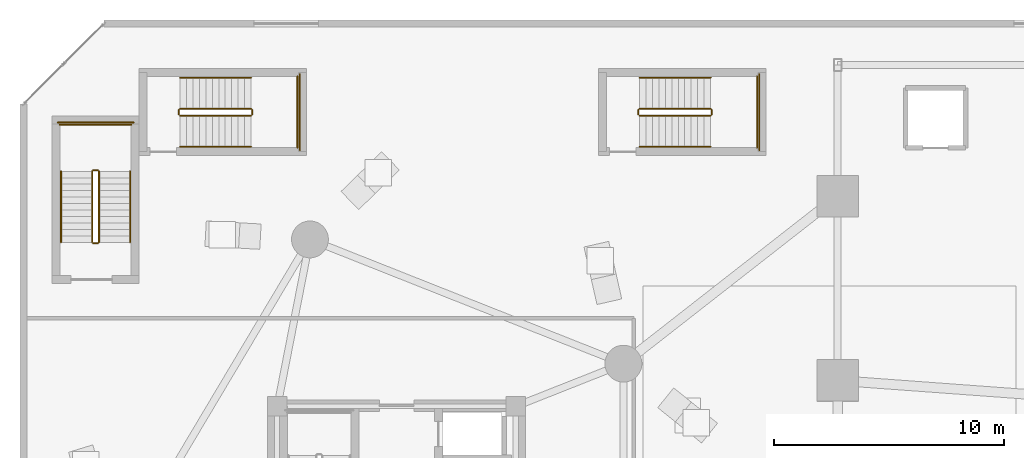
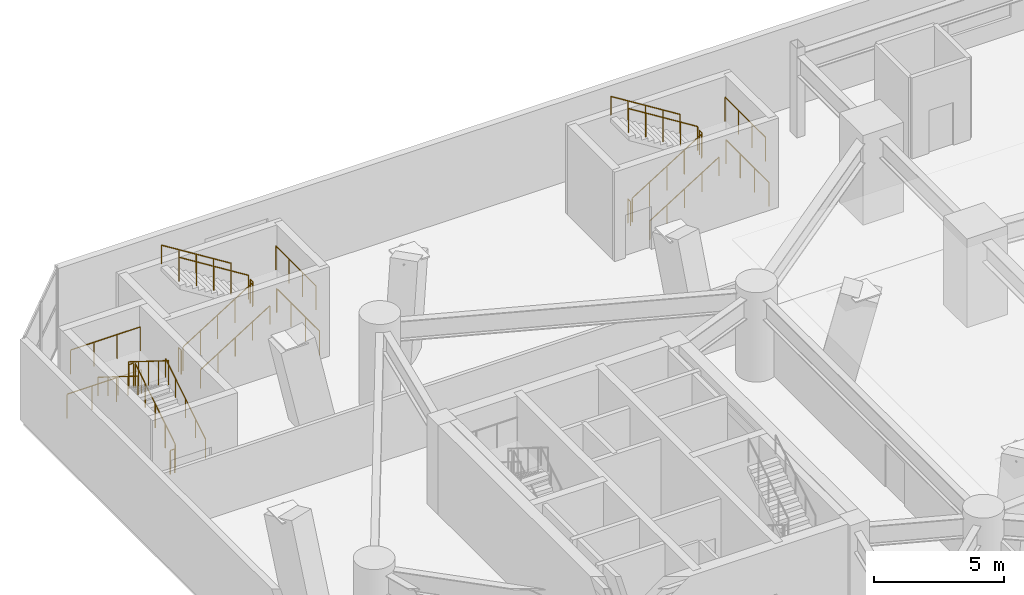
# One storey, part 19 of 20: 24 railings.
"""IFC4 building model written with IfcOpenShell, lengths in metres."""

from ifc_helpers import new_model, si_unit, direction, frame, origin, origin_2d, place, context, subcontext, project, spatial, circle, extrude, material, type_object, element, save


model = new_model("IFC4")

# Units and contexts
model_context = context("Model", 3, precision=1e-05, world=origin(), true_north=direction((0.0, 1.0)))
body_context = subcontext(model_context, "Body", "Model", "MODEL_VIEW")
ifc_project = project(units=[si_unit("LENGTHUNIT", "METRE"), si_unit("AREAUNIT", "SQUARE_METRE"), si_unit("VOLUMEUNIT", "CUBIC_METRE"), si_unit("PLANEANGLEUNIT", "RADIAN"), si_unit("MASSUNIT", "GRAM", prefix="KILO")], contexts=[model_context])

# Site, building, storey
site_placement = place(None, origin())
site = spatial("IfcSite", under=ifc_project, at=site_placement, CompositionType="ELEMENT")
building_placement = place(site_placement, origin())
building = spatial("IfcBuilding", under=site, at=building_placement, Name="Cununo Teusaquillo Station Towers", CompositionType="ELEMENT")
storey_placement = place(building_placement, frame((0.0, 0.0, 13.199951171875)))
storey = spatial("IfcBuildingStorey", under=building, at=storey_placement, Name="L03", CompositionType="ELEMENT", Elevation=13.199951171875)

# Railings
ifc_material_1 = material(Name="Steel EN 10025-2 S355J2", Category="steel")
railing_type_1 = type_object("IfcRailingType", Name="RL-INT-GUARD", PredefinedType="GUARDRAIL", material=ifc_material_1)
railing_1_placement = place(storey_placement, frame((27.050048828125, 44.0, 0.175048828125)))
element("IfcRailing", 1, at=railing_1_placement, inside=storey, type_object=railing_type_1, Name="L03 ST-POD-N stair guard 1", PredefinedType="GUARDRAIL", context=body_context, shape_type="SweptSolid", body=[
    extrude(circle(Radius=0.02392578125, at=origin_2d()), frame((0.0, 0.0, 1.1259765625), z_axis=(0.847979421464, 0.0, 0.530029150871), x_axis=(0.0, 1.0, 0.0)), (0.0, 0.0, 1.0), 3.632080078125),
    extrude(circle(Radius=0.02099609375, at=origin_2d()), origin(), (0.0, 0.0, 1.0), 1.101806640625),
    extrude(circle(Radius=0.02099609375, at=origin_2d()), frame((0.77001953125, 0.0, 0.481201171875)), (0.0, 0.0, 1.0), 1.101806640625),
    extrude(circle(Radius=0.02099609375, at=origin_2d()), frame((1.5400390625, 0.0, 0.96240234375)), (0.0, 0.0, 1.0), 1.101806640625),
    extrude(circle(Radius=0.02099609375, at=origin_2d()), frame((2.309814453125, 0.0, 1.44384765625)), (0.0, 0.0, 1.0), 1.101806640625),
    extrude(circle(Radius=0.02099609375, at=origin_2d()), frame((3.079833984375, 0.0, 1.925048828125)), (0.0, 0.0, 1.0), 1.101806640625),
])
railing_2_placement = place(storey_placement, frame((30.179931640625, 44.050048828125, 2.10009765625)))
element("IfcRailing", 2, at=railing_2_placement, inside=storey, type_object=railing_type_1, Name="L03 ST-POD-N stair guard 2", PredefinedType="GUARDRAIL", context=body_context, shape_type="SweptSolid", body=[
    extrude(circle(Radius=0.02392578125, at=origin_2d()), frame((0.0, 0.0, 1.1259765625), z_axis=(0.0, 1.0, 0.0), x_axis=(-1.0, 0.0, 0.0)), (0.0, 0.0, 1.0), 0.199951171875),
    extrude(circle(Radius=0.02099609375, at=origin_2d()), origin(), (0.0, 0.0, 1.0), 1.101806640625),
    extrude(circle(Radius=0.02099609375, at=origin_2d()), frame((0.0, 0.199951171875, 0.0)), (0.0, 0.0, 1.0), 1.101806640625),
])
railing_3_placement = place(storey_placement, frame((32.14990234375, 42.60009765625, 2.10009765625)))
element("IfcRailing", 3, at=railing_3_placement, inside=storey, type_object=railing_type_1, Name="L03 ST-POD-N stair guard 3", PredefinedType="GUARDRAIL", context=body_context, shape_type="SweptSolid", body=[
    extrude(circle(Radius=0.02392578125, at=origin_2d()), frame((0.0, 0.0, 1.1259765625), z_axis=(0.0, 1.0, 0.0), x_axis=(-1.0, 0.0, 0.0)), (0.0, 0.0, 1.0), 3.099853515625),
    extrude(circle(Radius=0.02099609375, at=origin_2d()), origin(), (0.0, 0.0, 1.0), 1.101806640625),
    extrude(circle(Radius=0.02099609375, at=origin_2d()), frame((0.0, 1.033203125, 0.0)), (0.0, 0.0, 1.0), 1.101806640625),
    extrude(circle(Radius=0.02099609375, at=origin_2d()), frame((0.0, 2.066650390625, 0.0)), (0.0, 0.0, 1.0), 1.101806640625),
    extrude(circle(Radius=0.02099609375, at=origin_2d()), frame((0.0, 3.099853515625, 0.0)), (0.0, 0.0, 1.0), 1.101806640625),
])
railing_4_placement = place(storey_placement, frame((30.1298828125, 44.300048828125, 2.275146484375)))
element("IfcRailing", 4, at=railing_4_placement, inside=storey, type_object=railing_type_1, Name="L03 ST-POD-N stair guard 4", PredefinedType="GUARDRAIL", context=body_context, shape_type="SweptSolid", body=[
    extrude(circle(Radius=0.02392578125, at=origin_2d()), frame((0.0, 0.0, 1.1259765625), z_axis=(-0.848009633417, 0.0, 0.529980812513), x_axis=(0.0, -1.0, 0.0)), (0.0, 0.0, 1.0), 3.6318359375),
    extrude(circle(Radius=0.02099609375, at=origin_2d()), origin(), (0.0, 0.0, 1.0), 1.101806640625),
    extrude(circle(Radius=0.02099609375, at=origin_2d()), frame((-0.77001953125, 0.0, 0.481201171875)), (0.0, 0.0, 1.0), 1.101806640625),
    extrude(circle(Radius=0.02099609375, at=origin_2d()), frame((-1.5400390625, 0.0, 0.96240234375)), (0.0, 0.0, 1.0), 1.101806640625),
    extrude(circle(Radius=0.02099609375, at=origin_2d()), frame((-2.309814453125, 0.0, 1.443603515625)), (0.0, 0.0, 1.0), 1.101806640625),
    extrude(circle(Radius=0.02099609375, at=origin_2d()), frame((-3.079833984375, 0.0, 1.9248046875)), (0.0, 0.0, 1.0), 1.101806640625),
])
railing_5_placement = place(storey_placement, frame((27.0, 44.050048828125, 0.0)))
element("IfcRailing", 5, at=railing_5_placement, inside=storey, type_object=railing_type_1, Name="L03 ST-POD-N stair guard 5", PredefinedType="GUARDRAIL", context=body_context, shape_type="SweptSolid", body=[
    extrude(circle(Radius=0.02392578125, at=origin_2d()), frame((0.0, 0.0, 1.1259765625), z_axis=(0.0, 1.0, 0.0), x_axis=(-1.0, 0.0, 0.0)), (0.0, 0.0, 1.0), 0.199951171875),
    extrude(circle(Radius=0.02099609375, at=origin_2d()), origin(), (0.0, 0.0, 1.0), 1.101806640625),
    extrude(circle(Radius=0.02099609375, at=origin_2d()), frame((0.0, 0.199951171875, 0.0)), (0.0, 0.0, 1.0), 1.101806640625),
])
railing_6_placement = place(storey_placement, frame((32.25, 42.5, 0.0)))
element("IfcRailing", 6, at=railing_6_placement, inside=storey, type_object=railing_type_1, Name="L03 ST-POD-N stair guard 6", PredefinedType="GUARDRAIL", context=body_context, shape_type="SweptSolid", body=[
    extrude(circle(Radius=0.02392578125, at=origin_2d()), frame((0.0, 0.0, 1.1259765625), z_axis=(0.0, 1.0, 0.0), x_axis=(-1.0, 0.0, 0.0)), (0.0, 0.0, 1.0), 3.300048828125),
    extrude(circle(Radius=0.02099609375, at=origin_2d()), origin(), (0.0, 0.0, 1.0), 1.101806640625),
    extrude(circle(Radius=0.02099609375, at=origin_2d()), frame((0.0, 1.10009765625, 0.0)), (0.0, 0.0, 1.0), 1.101806640625),
    extrude(circle(Radius=0.02099609375, at=origin_2d()), frame((0.0, 2.199951171875, 0.0)), (0.0, 0.0, 1.0), 1.101806640625),
    extrude(circle(Radius=0.02099609375, at=origin_2d()), frame((0.0, 3.300048828125, 0.0)), (0.0, 0.0, 1.0), 1.101806640625),
])
railing_7_placement = place(storey_placement, frame((3.580078125, 38.5, 0.175048828125)))
element("IfcRailing", 7, at=railing_7_placement, inside=storey, type_object=railing_type_1, Name="L03 ST-POD-W stair guard 1", PredefinedType="GUARDRAIL", context=body_context, shape_type="SweptSolid", body=[
    extrude(circle(Radius=0.02392578125, at=origin_2d()), frame((0.0, 0.0, 1.1259765625), z_axis=(0.0, 0.847998304005, 0.529998940003), x_axis=(-1.0, 0.0, 0.0)), (0.0, 0.0, 1.0), 3.632080078125),
    extrude(circle(Radius=0.02099609375, at=origin_2d()), origin(), (0.0, 0.0, 1.0), 1.101806640625),
    extrude(circle(Radius=0.02099609375, at=origin_2d()), frame((0.0, 0.77001953125, 0.481201171875)), (0.0, 0.0, 1.0), 1.101806640625),
    extrude(circle(Radius=0.02099609375, at=origin_2d()), frame((0.0, 1.5400390625, 0.96240234375)), (0.0, 0.0, 1.0), 1.101806640625),
    extrude(circle(Radius=0.02099609375, at=origin_2d()), frame((0.0, 2.31005859375, 1.44384765625)), (0.0, 0.0, 1.0), 1.101806640625),
    extrude(circle(Radius=0.02099609375, at=origin_2d()), frame((0.0, 3.080078125, 1.925048828125)), (0.0, 0.0, 1.0), 1.101806640625),
])
railing_8_placement = place(storey_placement, frame((3.530029296875, 41.6298828125, 2.10009765625)))
element("IfcRailing", 8, at=railing_8_placement, inside=storey, type_object=railing_type_1, Name="L03 ST-POD-W stair guard 2", PredefinedType="GUARDRAIL", context=body_context, shape_type="SweptSolid", body=[
    extrude(circle(Radius=0.02392578125, at=origin_2d()), frame((0.0, 0.0, 1.1259765625), z_axis=(-1.0, 0.0, 0.0), x_axis=(0.0, -1.0, 0.0)), (0.0, 0.0, 1.0), 0.199951171875),
    extrude(circle(Radius=0.02099609375, at=origin_2d()), origin(), (0.0, 0.0, 1.0), 1.101806640625),
    extrude(circle(Radius=0.02099609375, at=origin_2d()), frame((-0.199951171875, 0.0, 0.0)), (0.0, 0.0, 1.0), 1.101806640625),
])
railing_9_placement = place(storey_placement, frame((4.97998046875, 43.60009765625, 2.10009765625)))
element("IfcRailing", 9, at=railing_9_placement, inside=storey, type_object=railing_type_1, Name="L03 ST-POD-W stair guard 3", PredefinedType="GUARDRAIL", context=body_context, shape_type="SweptSolid", body=[
    extrude(circle(Radius=0.02392578125, at=origin_2d()), frame((0.0, 0.0, 1.1259765625), z_axis=(-1.0, 0.0, 0.0), x_axis=(0.0, -1.0, 0.0)), (0.0, 0.0, 1.0), 3.10009765625),
    extrude(circle(Radius=0.02099609375, at=origin_2d()), origin(), (0.0, 0.0, 1.0), 1.101806640625),
    extrude(circle(Radius=0.02099609375, at=origin_2d()), frame((-1.033447265625, 0.0, 0.0)), (0.0, 0.0, 1.0), 1.101806640625),
    extrude(circle(Radius=0.02099609375, at=origin_2d()), frame((-2.066650390625, 0.0, 0.0)), (0.0, 0.0, 1.0), 1.101806640625),
    extrude(circle(Radius=0.02099609375, at=origin_2d()), frame((-3.10009765625, 0.0, 0.0)), (0.0, 0.0, 1.0), 1.101806640625),
])
railing_10_placement = place(storey_placement, frame((3.280029296875, 41.580078125, 2.275146484375)))
element("IfcRailing", 10, at=railing_10_placement, inside=storey, type_object=railing_type_1, Name="L03 ST-POD-W stair guard 4", PredefinedType="GUARDRAIL", context=body_context, shape_type="SweptSolid", body=[
    extrude(circle(Radius=0.02392578125, at=origin_2d()), frame((0.0, 0.0, 1.1259765625), z_axis=(0.0, -0.848028513186, 0.529950602248), x_axis=(1.0, 0.0, 0.0)), (0.0, 0.0, 1.0), 3.632080078125),
    extrude(circle(Radius=0.02099609375, at=origin_2d()), origin(), (0.0, 0.0, 1.0), 1.101806640625),
    extrude(circle(Radius=0.02099609375, at=origin_2d()), frame((0.0, -0.77001953125, 0.481201171875)), (0.0, 0.0, 1.0), 1.101806640625),
    extrude(circle(Radius=0.02099609375, at=origin_2d()), frame((0.0, -1.5400390625, 0.96240234375)), (0.0, 0.0, 1.0), 1.101806640625),
    extrude(circle(Radius=0.02099609375, at=origin_2d()), frame((0.0, -2.31005859375, 1.443603515625)), (0.0, 0.0, 1.0), 1.101806640625),
    extrude(circle(Radius=0.02099609375, at=origin_2d()), frame((0.0, -3.080078125, 1.9248046875)), (0.0, 0.0, 1.0), 1.101806640625),
])
railing_11_placement = place(storey_placement, frame((3.530029296875, 38.449951171875, 0.0)))
element("IfcRailing", 11, at=railing_11_placement, inside=storey, type_object=railing_type_1, Name="L03 ST-POD-W stair guard 5", PredefinedType="GUARDRAIL", context=body_context, shape_type="SweptSolid", body=[
    extrude(circle(Radius=0.02392578125, at=origin_2d()), frame((0.0, 0.0, 1.1259765625), z_axis=(-1.0, 0.0, 0.0), x_axis=(0.0, -1.0, 0.0)), (0.0, 0.0, 1.0), 0.199951171875),
    extrude(circle(Radius=0.02099609375, at=origin_2d()), origin(), (0.0, 0.0, 1.0), 1.101806640625),
    extrude(circle(Radius=0.02099609375, at=origin_2d()), frame((-0.199951171875, 0.0, 0.0)), (0.0, 0.0, 1.0), 1.101806640625),
])
railing_12_placement = place(storey_placement, frame((5.080078125, 43.699951171875, 0.0)))
element("IfcRailing", 12, at=railing_12_placement, inside=storey, type_object=railing_type_1, Name="L03 ST-POD-W stair guard 6", PredefinedType="GUARDRAIL", context=body_context, shape_type="SweptSolid", body=[
    extrude(circle(Radius=0.02392578125, at=origin_2d()), frame((0.0, 0.0, 1.1259765625), z_axis=(-1.0, 0.0, 0.0), x_axis=(0.0, -1.0, 0.0)), (0.0, 0.0, 1.0), 3.300048828125),
    extrude(circle(Radius=0.02099609375, at=origin_2d()), origin(), (0.0, 0.0, 1.0), 1.101806640625),
    extrude(circle(Radius=0.02099609375, at=origin_2d()), frame((-1.10009765625, 0.0, 0.0)), (0.0, 0.0, 1.0), 1.101806640625),
    extrude(circle(Radius=0.02099609375, at=origin_2d()), frame((-2.199951171875, 0.0, 0.0)), (0.0, 0.0, 1.0), 1.101806640625),
    extrude(circle(Radius=0.02099609375, at=origin_2d()), frame((-3.300048828125, 0.0, 0.0)), (0.0, 0.0, 1.0), 1.101806640625),
])
railing_13_placement = place(storey_placement, frame((7.10009765625, 44.0, 0.175048828125)))
element("IfcRailing", 13, at=railing_13_placement, inside=storey, type_object=railing_type_1, Name="L03 ST-POD-C stair guard 1", PredefinedType="GUARDRAIL", context=body_context, shape_type="SweptSolid", body=[
    extrude(circle(Radius=0.02392578125, at=origin_2d()), frame((0.0, 0.0, 1.1259765625), z_axis=(0.847979421464, 0.0, 0.530029150871), x_axis=(0.0, 1.0, 0.0)), (0.0, 0.0, 1.0), 3.632080078125),
    extrude(circle(Radius=0.02099609375, at=origin_2d()), origin(), (0.0, 0.0, 1.0), 1.101806640625),
    extrude(circle(Radius=0.02099609375, at=origin_2d()), frame((0.77001953125, 0.0, 0.481201171875)), (0.0, 0.0, 1.0), 1.101806640625),
    extrude(circle(Radius=0.02099609375, at=origin_2d()), frame((1.5400390625, 0.0, 0.96240234375)), (0.0, 0.0, 1.0), 1.101806640625),
    extrude(circle(Radius=0.02099609375, at=origin_2d()), frame((2.309814453125, 0.0, 1.44384765625)), (0.0, 0.0, 1.0), 1.101806640625),
    extrude(circle(Radius=0.02099609375, at=origin_2d()), frame((3.079833984375, 0.0, 1.925048828125)), (0.0, 0.0, 1.0), 1.101806640625),
])
railing_14_placement = place(storey_placement, frame((10.22998046875, 44.050048828125, 2.10009765625)))
element("IfcRailing", 14, at=railing_14_placement, inside=storey, type_object=railing_type_1, Name="L03 ST-POD-C stair guard 2", PredefinedType="GUARDRAIL", context=body_context, shape_type="SweptSolid", body=[
    extrude(circle(Radius=0.02392578125, at=origin_2d()), frame((0.0, 0.0, 1.1259765625), z_axis=(0.0, 1.0, 0.0), x_axis=(-1.0, 0.0, 0.0)), (0.0, 0.0, 1.0), 0.199951171875),
    extrude(circle(Radius=0.02099609375, at=origin_2d()), origin(), (0.0, 0.0, 1.0), 1.101806640625),
    extrude(circle(Radius=0.02099609375, at=origin_2d()), frame((0.0, 0.199951171875, 0.0)), (0.0, 0.0, 1.0), 1.101806640625),
])
railing_15_placement = place(storey_placement, frame((12.199951171875, 42.60009765625, 2.10009765625)))
element("IfcRailing", 15, at=railing_15_placement, inside=storey, type_object=railing_type_1, Name="L03 ST-POD-C stair guard 3", PredefinedType="GUARDRAIL", context=body_context, shape_type="SweptSolid", body=[
    extrude(circle(Radius=0.02392578125, at=origin_2d()), frame((0.0, 0.0, 1.1259765625), z_axis=(0.0, 1.0, 0.0), x_axis=(-1.0, 0.0, 0.0)), (0.0, 0.0, 1.0), 3.099853515625),
    extrude(circle(Radius=0.02099609375, at=origin_2d()), origin(), (0.0, 0.0, 1.0), 1.101806640625),
    extrude(circle(Radius=0.02099609375, at=origin_2d()), frame((0.0, 1.033203125, 0.0)), (0.0, 0.0, 1.0), 1.101806640625),
    extrude(circle(Radius=0.02099609375, at=origin_2d()), frame((0.0, 2.066650390625, 0.0)), (0.0, 0.0, 1.0), 1.101806640625),
    extrude(circle(Radius=0.02099609375, at=origin_2d()), frame((0.0, 3.099853515625, 0.0)), (0.0, 0.0, 1.0), 1.101806640625),
])
railing_16_placement = place(storey_placement, frame((10.179931640625, 44.300048828125, 2.275146484375)))
element("IfcRailing", 16, at=railing_16_placement, inside=storey, type_object=railing_type_1, Name="L03 ST-POD-C stair guard 4", PredefinedType="GUARDRAIL", context=body_context, shape_type="SweptSolid", body=[
    extrude(circle(Radius=0.02392578125, at=origin_2d()), frame((0.0, 0.0, 1.1259765625), z_axis=(-0.848009633417, 0.0, 0.529980812513), x_axis=(0.0, -1.0, 0.0)), (0.0, 0.0, 1.0), 3.6318359375),
    extrude(circle(Radius=0.02099609375, at=origin_2d()), origin(), (0.0, 0.0, 1.0), 1.101806640625),
    extrude(circle(Radius=0.02099609375, at=origin_2d()), frame((-0.77001953125, 0.0, 0.481201171875)), (0.0, 0.0, 1.0), 1.101806640625),
    extrude(circle(Radius=0.02099609375, at=origin_2d()), frame((-1.5400390625, 0.0, 0.96240234375)), (0.0, 0.0, 1.0), 1.101806640625),
    extrude(circle(Radius=0.02099609375, at=origin_2d()), frame((-2.309814453125, 0.0, 1.443603515625)), (0.0, 0.0, 1.0), 1.101806640625),
    extrude(circle(Radius=0.02099609375, at=origin_2d()), frame((-3.079833984375, 0.0, 1.9248046875)), (0.0, 0.0, 1.0), 1.101806640625),
])
railing_17_placement = place(storey_placement, frame((7.050048828125, 44.050048828125, 0.0)))
element("IfcRailing", 17, at=railing_17_placement, inside=storey, type_object=railing_type_1, Name="L03 ST-POD-C stair guard 5", PredefinedType="GUARDRAIL", context=body_context, shape_type="SweptSolid", body=[
    extrude(circle(Radius=0.02392578125, at=origin_2d()), frame((0.0, 0.0, 1.1259765625), z_axis=(0.0, 1.0, 0.0), x_axis=(-1.0, 0.0, 0.0)), (0.0, 0.0, 1.0), 0.199951171875),
    extrude(circle(Radius=0.02099609375, at=origin_2d()), origin(), (0.0, 0.0, 1.0), 1.101806640625),
    extrude(circle(Radius=0.02099609375, at=origin_2d()), frame((0.0, 0.199951171875, 0.0)), (0.0, 0.0, 1.0), 1.101806640625),
])
railing_18_placement = place(storey_placement, frame((12.300048828125, 42.5, 0.0)))
element("IfcRailing", 18, at=railing_18_placement, inside=storey, type_object=railing_type_1, Name="L03 ST-POD-C stair guard 6", PredefinedType="GUARDRAIL", context=body_context, shape_type="SweptSolid", body=[
    extrude(circle(Radius=0.02392578125, at=origin_2d()), frame((0.0, 0.0, 1.1259765625), z_axis=(0.0, 1.0, 0.0), x_axis=(-1.0, 0.0, 0.0)), (0.0, 0.0, 1.0), 3.300048828125),
    extrude(circle(Radius=0.02099609375, at=origin_2d()), origin(), (0.0, 0.0, 1.0), 1.101806640625),
    extrude(circle(Radius=0.02099609375, at=origin_2d()), frame((0.0, 1.10009765625, 0.0)), (0.0, 0.0, 1.0), 1.101806640625),
    extrude(circle(Radius=0.02099609375, at=origin_2d()), frame((0.0, 2.199951171875, 0.0)), (0.0, 0.0, 1.0), 1.101806640625),
    extrude(circle(Radius=0.02099609375, at=origin_2d()), frame((0.0, 3.300048828125, 0.0)), (0.0, 0.0, 1.0), 1.101806640625),
])
ifc_material_2 = material(Name="Steel EN 10025-2 S355J2", Category="steel")
railing_type_2 = type_object("IfcRailingType", Name="RL-INT-HRAIL", PredefinedType="HANDRAIL", material=ifc_material_2)
railing_19_placement = place(storey_placement, frame((27.050048828125, 42.64990234375, 0.175048828125)))
element("IfcRailing", 19, at=railing_19_placement, inside=storey, type_object=railing_type_2, Name="L03 ST-POD-N stair handrail 1", PredefinedType="HANDRAIL", context=body_context, shape_type="SweptSolid", body=[
    extrude(circle(Radius=0.02392578125, at=origin_2d()), frame((0.0, 0.0, 0.8759765625), z_axis=(0.847979421464, 0.0, 0.530029150871), x_axis=(0.0, 1.0, 0.0)), (0.0, 0.0, 1.0), 3.632080078125),
    extrude(circle(Radius=0.02099609375, at=origin_2d()), origin(), (0.0, 0.0, 1.0), 0.851806640625),
    extrude(circle(Radius=0.02099609375, at=origin_2d()), frame((0.77001953125, 0.0, 0.481201171875)), (0.0, 0.0, 1.0), 0.851806640625),
    extrude(circle(Radius=0.02099609375, at=origin_2d()), frame((1.5400390625, 0.0, 0.96240234375)), (0.0, 0.0, 1.0), 0.851806640625),
    extrude(circle(Radius=0.02099609375, at=origin_2d()), frame((2.309814453125, 0.0, 1.44384765625)), (0.0, 0.0, 1.0), 0.851806640625),
    extrude(circle(Radius=0.02099609375, at=origin_2d()), frame((3.079833984375, 0.0, 1.925048828125)), (0.0, 0.0, 1.0), 0.851806640625),
])
railing_20_placement = place(storey_placement, frame((30.1298828125, 45.64990234375, 2.275146484375)))
element("IfcRailing", 20, at=railing_20_placement, inside=storey, type_object=railing_type_2, Name="L03 ST-POD-N stair handrail 2", PredefinedType="HANDRAIL", context=body_context, shape_type="SweptSolid", body=[
    extrude(circle(Radius=0.02392578125, at=origin_2d()), frame((0.0, 0.0, 0.8759765625), z_axis=(-0.848009633417, 0.0, 0.529980812513), x_axis=(0.0, -1.0, 0.0)), (0.0, 0.0, 1.0), 3.6318359375),
    extrude(circle(Radius=0.02099609375, at=origin_2d()), origin(), (0.0, 0.0, 1.0), 0.851806640625),
    extrude(circle(Radius=0.02099609375, at=origin_2d()), frame((-0.77001953125, 0.0, 0.481201171875)), (0.0, 0.0, 1.0), 0.851806640625),
    extrude(circle(Radius=0.02099609375, at=origin_2d()), frame((-1.5400390625, 0.0, 0.96240234375)), (0.0, 0.0, 1.0), 0.851806640625),
    extrude(circle(Radius=0.02099609375, at=origin_2d()), frame((-2.309814453125, 0.0, 1.443603515625)), (0.0, 0.0, 1.0), 0.851806640625),
    extrude(circle(Radius=0.02099609375, at=origin_2d()), frame((-3.079833984375, 0.0, 1.9248046875)), (0.0, 0.0, 1.0), 0.851806640625),
])
railing_21_placement = place(storey_placement, frame((4.929931640625, 38.5, 0.175048828125)))
element("IfcRailing", 21, at=railing_21_placement, inside=storey, type_object=railing_type_2, Name="L03 ST-POD-W stair handrail 1", PredefinedType="HANDRAIL", context=body_context, shape_type="SweptSolid", body=[
    extrude(circle(Radius=0.02392578125, at=origin_2d()), frame((0.0, 0.0, 0.8759765625), z_axis=(0.0, 0.847998304005, 0.529998940003), x_axis=(-1.0, 0.0, 0.0)), (0.0, 0.0, 1.0), 3.632080078125),
    extrude(circle(Radius=0.02099609375, at=origin_2d()), origin(), (0.0, 0.0, 1.0), 0.851806640625),
    extrude(circle(Radius=0.02099609375, at=origin_2d()), frame((0.0, 0.77001953125, 0.481201171875)), (0.0, 0.0, 1.0), 0.851806640625),
    extrude(circle(Radius=0.02099609375, at=origin_2d()), frame((0.0, 1.5400390625, 0.96240234375)), (0.0, 0.0, 1.0), 0.851806640625),
    extrude(circle(Radius=0.02099609375, at=origin_2d()), frame((0.0, 2.31005859375, 1.44384765625)), (0.0, 0.0, 1.0), 0.851806640625),
    extrude(circle(Radius=0.02099609375, at=origin_2d()), frame((0.0, 3.080078125, 1.925048828125)), (0.0, 0.0, 1.0), 0.851806640625),
])
railing_22_placement = place(storey_placement, frame((1.929931640625, 41.580078125, 2.275146484375)))
element("IfcRailing", 22, at=railing_22_placement, inside=storey, type_object=railing_type_2, Name="L03 ST-POD-W stair handrail 2", PredefinedType="HANDRAIL", context=body_context, shape_type="SweptSolid", body=[
    extrude(circle(Radius=0.02392578125, at=origin_2d()), frame((0.0, 0.0, 0.8759765625), z_axis=(0.0, -0.848028513186, 0.529950602248), x_axis=(1.0, 0.0, 0.0)), (0.0, 0.0, 1.0), 3.632080078125),
    extrude(circle(Radius=0.02099609375, at=origin_2d()), origin(), (0.0, 0.0, 1.0), 0.851806640625),
    extrude(circle(Radius=0.02099609375, at=origin_2d()), frame((0.0, -0.77001953125, 0.481201171875)), (0.0, 0.0, 1.0), 0.851806640625),
    extrude(circle(Radius=0.02099609375, at=origin_2d()), frame((0.0, -1.5400390625, 0.96240234375)), (0.0, 0.0, 1.0), 0.851806640625),
    extrude(circle(Radius=0.02099609375, at=origin_2d()), frame((0.0, -2.31005859375, 1.443603515625)), (0.0, 0.0, 1.0), 0.851806640625),
    extrude(circle(Radius=0.02099609375, at=origin_2d()), frame((0.0, -3.080078125, 1.9248046875)), (0.0, 0.0, 1.0), 0.851806640625),
])
railing_23_placement = place(storey_placement, frame((7.10009765625, 42.64990234375, 0.175048828125)))
element("IfcRailing", 23, at=railing_23_placement, inside=storey, type_object=railing_type_2, Name="L03 ST-POD-C stair handrail 1", PredefinedType="HANDRAIL", context=body_context, shape_type="SweptSolid", body=[
    extrude(circle(Radius=0.02392578125, at=origin_2d()), frame((0.0, 0.0, 0.8759765625), z_axis=(0.847979421464, 0.0, 0.530029150871), x_axis=(0.0, 1.0, 0.0)), (0.0, 0.0, 1.0), 3.632080078125),
    extrude(circle(Radius=0.02099609375, at=origin_2d()), origin(), (0.0, 0.0, 1.0), 0.851806640625),
    extrude(circle(Radius=0.02099609375, at=origin_2d()), frame((0.77001953125, 0.0, 0.481201171875)), (0.0, 0.0, 1.0), 0.851806640625),
    extrude(circle(Radius=0.02099609375, at=origin_2d()), frame((1.5400390625, 0.0, 0.96240234375)), (0.0, 0.0, 1.0), 0.851806640625),
    extrude(circle(Radius=0.02099609375, at=origin_2d()), frame((2.309814453125, 0.0, 1.44384765625)), (0.0, 0.0, 1.0), 0.851806640625),
    extrude(circle(Radius=0.02099609375, at=origin_2d()), frame((3.079833984375, 0.0, 1.925048828125)), (0.0, 0.0, 1.0), 0.851806640625),
])
railing_24_placement = place(storey_placement, frame((10.179931640625, 45.64990234375, 2.275146484375)))
element("IfcRailing", 24, at=railing_24_placement, inside=storey, type_object=railing_type_2, Name="L03 ST-POD-C stair handrail 2", PredefinedType="HANDRAIL", context=body_context, shape_type="SweptSolid", body=[
    extrude(circle(Radius=0.02392578125, at=origin_2d()), frame((0.0, 0.0, 0.8759765625), z_axis=(-0.848009633417, 0.0, 0.529980812513), x_axis=(0.0, -1.0, 0.0)), (0.0, 0.0, 1.0), 3.6318359375),
    extrude(circle(Radius=0.02099609375, at=origin_2d()), origin(), (0.0, 0.0, 1.0), 0.851806640625),
    extrude(circle(Radius=0.02099609375, at=origin_2d()), frame((-0.77001953125, 0.0, 0.481201171875)), (0.0, 0.0, 1.0), 0.851806640625),
    extrude(circle(Radius=0.02099609375, at=origin_2d()), frame((-1.5400390625, 0.0, 0.96240234375)), (0.0, 0.0, 1.0), 0.851806640625),
    extrude(circle(Radius=0.02099609375, at=origin_2d()), frame((-2.309814453125, 0.0, 1.443603515625)), (0.0, 0.0, 1.0), 0.851806640625),
    extrude(circle(Radius=0.02099609375, at=origin_2d()), frame((-3.079833984375, 0.0, 1.9248046875)), (0.0, 0.0, 1.0), 0.851806640625),
])

save(model, "model.ifc")
